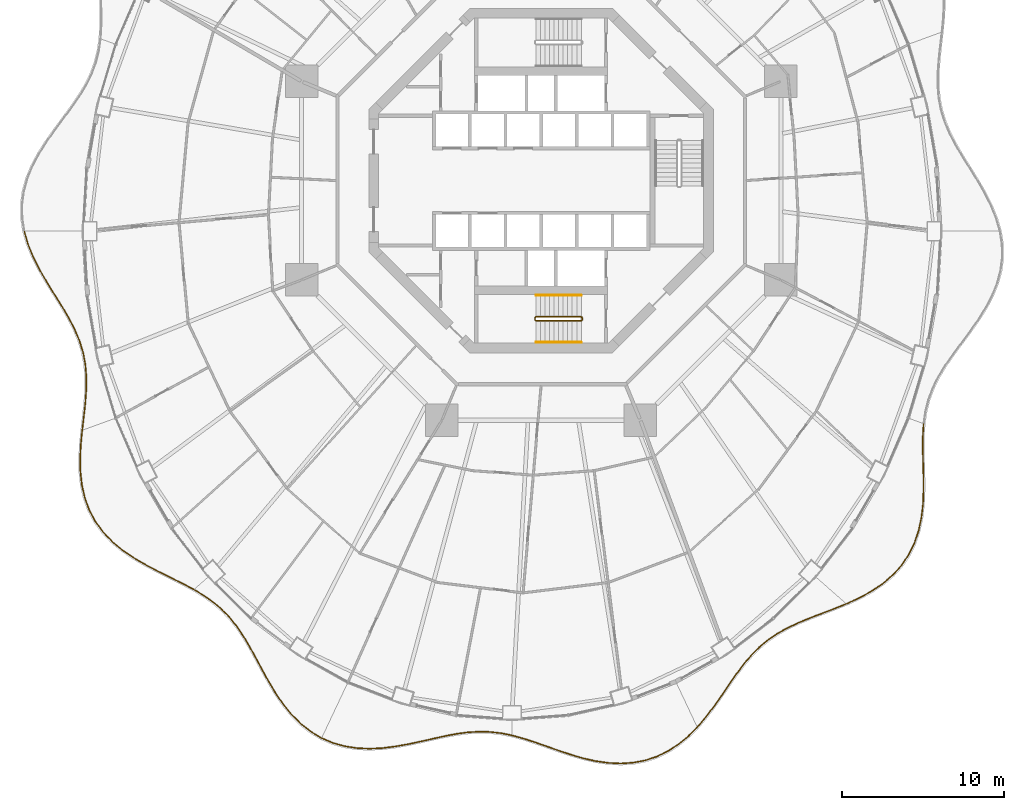
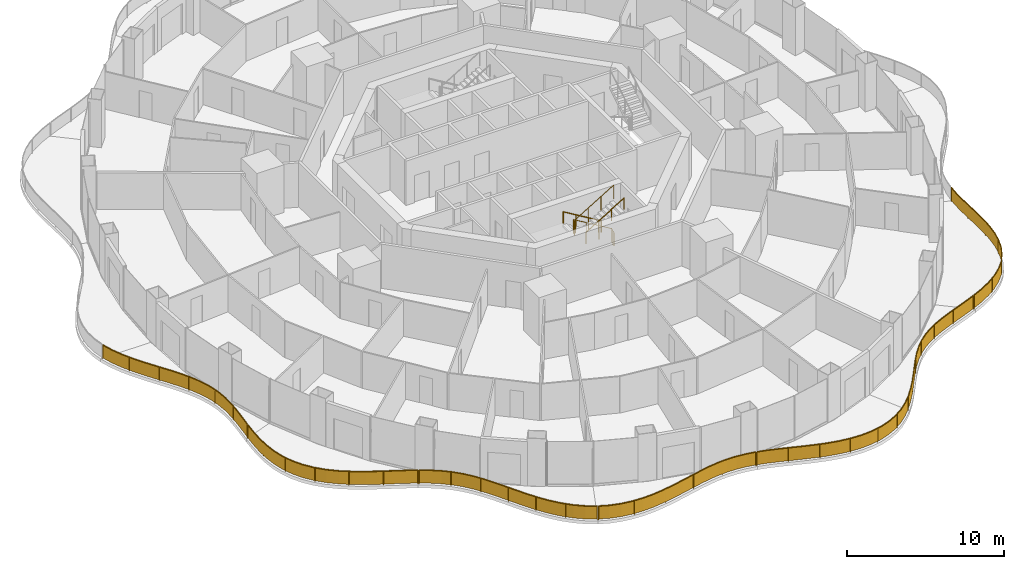
# One storey, part 17 of 19: 10 railings.
"""IFC4 building model written with IfcOpenShell, lengths in metres."""

import ifcopenshell
import ifcopenshell.guid

model = None  # the IFC model being written
_history = None  # IfcOwnerHistory: only IFC2X3 demands one
_inside = {}  # id of a spatial element -> (the spatial element, [elements in it])
_under = {}  # id of a project, library or spatial element -> (it, [spatial elements below it])
_declared = {}  # id of a project -> (the project, [libraries it declares])
_typed = {}  # id of a type object -> (the type object, [elements of that type])
_made_of = {}  # id of a material, layer set ... -> (it, [elements and type objects made of it])


def new_model(schema):
    """Start an empty IFC model of exactly this schema.

    Asked for "IFC4X3", IfcOpenShell would pick the latest addendum, in which some entities
    have other attributes; the version numbers below select the first issue.
    IFC2X3 requires an IfcOwnerHistory on every rooted entity: one is made here for all.
    """
    global model, _history
    if schema == "IFC4X3":
        model = ifcopenshell.file(schema_version=(4, 3, 0, 0))
    else:
        model = ifcopenshell.file(schema=schema)
    _inside.clear()
    _under.clear()
    _declared.clear()
    _typed.clear()
    _made_of.clear()
    _history = None
    if model.schema == "IFC2X3":
        org = make("IfcOrganization", Name="unknown")
        user = make(
            "IfcPersonAndOrganization",
            ThePerson=make("IfcPerson", FamilyName="unknown"),
            TheOrganization=org,
        )
        app = make(
            "IfcApplication",
            ApplicationDeveloper=org,
            Version="unknown",
            ApplicationFullName="unknown",
            ApplicationIdentifier="unknown",
        )
        _history = make(
            "IfcOwnerHistory",
            OwningUser=user,
            OwningApplication=app,
            ChangeAction="ADDED",
            CreationDate=0,
        )
    return model


def make(cls, **values):
    """One entity of the class cls with the attributes given. An attribute that is None is left unset."""
    return model.create_entity(
        cls, **{name: value for name, value in values.items() if value is not None}
    )


def rooted(cls, **values):
    """An entity with a GlobalId (a new one), such as an element, a storey or a relation."""
    return make(cls, GlobalId=ifcopenshell.guid.new(), OwnerHistory=_history, **values)


def si_unit(unit_type, name, prefix=None):
    """IfcSIUnit, for example si_unit("LENGTHUNIT", "METRE", prefix="MILLI")."""
    return make("IfcSIUnit", UnitType=unit_type, Prefix=prefix, Name=name)


def assignment(units):
    """IfcUnitAssignment: the units of a project."""
    return None if units is None else make("IfcUnitAssignment", Units=units)


def point(xyz):
    """IfcCartesianPoint."""
    return None if xyz is None else make("IfcCartesianPoint", Coordinates=xyz)


def direction(xyz):
    """IfcDirection."""
    return None if xyz is None else make("IfcDirection", DirectionRatios=xyz)


def frame(location, z_axis=None, x_axis=None):
    """IfcAxis2Placement3D, a coordinate frame: its origin and axes. An axis left out is left unset."""
    return make(
        "IfcAxis2Placement3D",
        Location=point(location),
        Axis=direction(z_axis),
        RefDirection=direction(x_axis),
    )


def frame_2d(location, x_axis=None):
    """IfcAxis2Placement2D, a coordinate frame in the plane: its origin and x axis."""
    return make(
        "IfcAxis2Placement2D", Location=point(location), RefDirection=direction(x_axis)
    )


def origin():
    """The frame at (0, 0, 0) with its axes left unset."""
    return frame((0.0, 0.0, 0.0))


def origin_2d():
    """The frame at (0, 0) in the plane with its x axis left unset."""
    return frame_2d((0.0, 0.0))


def place(relative_to, where):
    """IfcLocalPlacement: puts the frame where relative to a parent placement (None: the world)."""
    return make(
        "IfcLocalPlacement", PlacementRelTo=relative_to, RelativePlacement=where
    )


def context(
    kind, dimensions, precision=None, world=None, true_north=None, identifier=None
):
    """IfcGeometricRepresentationContext, for example the 3D "Model" context."""
    return make(
        "IfcGeometricRepresentationContext",
        ContextIdentifier=identifier,
        ContextType=kind,
        CoordinateSpaceDimension=dimensions,
        Precision=precision,
        WorldCoordinateSystem=world,
        TrueNorth=true_north,
    )


def subcontext(parent, identifier, kind, view, scale=None):
    """IfcGeometricRepresentationSubContext, for example "Body" below "Model"."""
    return make(
        "IfcGeometricRepresentationSubContext",
        ContextIdentifier=identifier,
        ContextType=kind,
        ParentContext=parent,
        TargetScale=scale,
        TargetView=view,
    )


def project(units=None, contexts=None):
    """IfcProject with its units and contexts."""
    return rooted(
        "IfcProject",
        Name="project",
        RepresentationContexts=contexts,
        UnitsInContext=assignment(units),
    )


def spatial(cls, under=None, at=None, **own):
    """A site, building, storey or space (cls), placed at a placement, below another one or the project."""
    s = rooted(cls, ObjectPlacement=at, **own)
    if under is not None:
        _under.setdefault(under.id(), (under, []))[1].append(s)
    return s


def polyline(points):
    """IfcPolyline through the points."""
    return make("IfcPolyline", Points=[point(p) for p in points])


def profile(cls, at=None, kind="AREA", **sizes):
    """A parametric profile (cls). Its sizes go by their IFC names, for example OverallWidth=200.0."""
    return make(cls, ProfileType=kind, Position=at, **sizes)


def rectangle(**sizes):
    """IfcRectangleProfileDef."""
    return profile("IfcRectangleProfileDef", **sizes)


def circle(**sizes):
    """IfcCircleProfileDef."""
    return profile("IfcCircleProfileDef", **sizes)


def outline(outer, holes=None, kind="AREA"):
    """IfcArbitraryClosedProfileDef: a profile drawn as a closed curve; with holes, ...WithVoids."""
    if holes is None:
        return make("IfcArbitraryClosedProfileDef", ProfileType=kind, OuterCurve=outer)
    return make(
        "IfcArbitraryProfileDefWithVoids",
        ProfileType=kind,
        OuterCurve=outer,
        InnerCurves=holes,
    )


def extrude(swept, where, along, depth):
    """IfcExtrudedAreaSolid: the profile swept, set in the frame where, extruded along a direction by depth."""
    return make(
        "IfcExtrudedAreaSolid",
        SweptArea=swept,
        Position=where,
        ExtrudedDirection=direction(along),
        Depth=depth,
    )


def shape(context_of_items, identifier, shape_type, items):
    """IfcShapeRepresentation: the items that make up one representation, for example the "Body"."""
    return make(
        "IfcShapeRepresentation",
        ContextOfItems=context_of_items,
        RepresentationIdentifier=identifier,
        RepresentationType=shape_type,
        Items=items,
    )


def material(Name=None, Category=None):
    """IfcMaterial."""
    return make("IfcMaterial", Name=Name, Category=Category)


def made_of(thing, what):
    """Note that an element or type object is made of a material, layer set ...; save() writes the relation."""
    if what is not None:
        _made_of.setdefault(what.id(), (what, []))[1].append(thing)
    return thing


def type_object(cls, material=None, **own):
    """A type object (cls), such as IfcWallType, which elements share."""
    return made_of(rooted(cls, **own), material)


def element(
    cls,
    number,
    at=None,
    inside=None,
    cuts=None,
    type_object=None,
    material=None,
    context=None,
    identifier="Body",
    shape_type=None,
    held_by="IfcProductDefinitionShape",
    body=None,
    shapes=None,
    **own,
):
    """One element of the class cls, such as IfcWall. Its Tag is "e" and its number.

    at: its placement. inside: the storey or other place that contains it. cuts: it is an
    opening in that element (IfcRelVoidsElement). A single representation is given by context,
    identifier, shape_type and body (its items); several are given by shapes. held_by: the class
    of the entity that holds the representations. save() writes the other relations.
    """
    e = rooted(cls, Tag="e%d" % number, ObjectPlacement=at, **own)
    if body is not None:
        shapes = [shape(context, identifier, shape_type, body)]
    if shapes is not None:
        e.Representation = make(held_by, Representations=shapes)
    if inside is not None:
        _inside.setdefault(inside.id(), (inside, []))[1].append(e)
    if cuts is not None:
        rooted(
            "IfcRelVoidsElement", RelatingBuildingElement=cuts, RelatedOpeningElement=e
        )
    if type_object is not None:
        _typed.setdefault(type_object.id(), (type_object, []))[1].append(e)
    return made_of(e, material)


def aggregate(whole, parts):
    """IfcRelAggregates: a whole, such as a stair, and the parts it consists of."""
    return rooted("IfcRelAggregates", RelatingObject=whole, RelatedObjects=parts)


def save(model, path):
    """Write the relations noted so far, then the file.

    IfcRelAggregates (storeys below a building ...), IfcRelContainedInSpatialStructure (elements
    in a storey), IfcRelDefinesByType, IfcRelAssociatesMaterial and IfcRelDeclares: one each for
    every whole, place, type object, material and project.
    """
    for whole, parts in _under.values():
        aggregate(whole, parts)
    for where, things in _inside.values():
        rooted(
            "IfcRelContainedInSpatialStructure",
            RelatedElements=things,
            RelatingStructure=where,
        )
    for kind, things in _typed.values():
        rooted("IfcRelDefinesByType", RelatedObjects=things, RelatingType=kind)
    for what, things in _made_of.values():
        rooted("IfcRelAssociatesMaterial", RelatedObjects=things, RelatingMaterial=what)
    for by, libraries in _declared.values():
        rooted("IfcRelDeclares", RelatingContext=by, RelatedDefinitions=libraries)
    model.write(path)


model = new_model("IFC4")

# Units and contexts
model_context = context("Model", 3, precision=1e-05, world=origin(), true_north=direction((0.0, 1.0)))
body_context = subcontext(model_context, "Body", "Model", "MODEL_VIEW")
ifc_project = project(units=[si_unit("LENGTHUNIT", "METRE"), si_unit("AREAUNIT", "SQUARE_METRE"), si_unit("VOLUMEUNIT", "CUBIC_METRE"), si_unit("PLANEANGLEUNIT", "RADIAN"), si_unit("MASSUNIT", "GRAM", prefix="KILO")], contexts=[model_context])

# Site, building, storey
site_placement = place(None, origin())
site = spatial("IfcSite", under=ifc_project, at=site_placement, CompositionType="ELEMENT")
building_placement = place(site_placement, origin())
building = spatial("IfcBuilding", under=site, at=building_placement, Name="Nagisa Residences", CompositionType="ELEMENT")
storey_placement = place(building_placement, frame((0.0, 0.0, 127.0)))
storey = spatial("IfcBuildingStorey", under=building, at=storey_placement, Name="L31", CompositionType="ELEMENT", Elevation=127.0)

# Railings
ifc_material_1 = material(Name="Stainless steel 316", Category="steel")
railing_type_1 = type_object("IfcRailingType", Name="BALCONY GUARD 1100", PredefinedType="BALUSTRADE", material=ifc_material_1)
railing_1_placement = place(storey_placement, frame((-31.87841796875, -3.15478515625, 0.0)))
element("IfcRailing", 1, at=railing_1_placement, inside=storey, type_object=railing_type_1, Name="guard:L31:bal08-0", PredefinedType="BALUSTRADE", context=body_context, shape_type="SweptSolid", body=[
    extrude(outline(polyline([(0.246337890625, -0.758544921875), (0.02392578125, 0.007080078125), (-0.02392578125, -0.007080078125), (0.198974609375, -0.775146484375), (0.5244140625, -1.57470703125), (0.919677734375, -2.357177734375), (1.361083984375, -3.1201171875), (1.82177734375, -3.864013671875), (2.274658203125, -4.578125), (2.697265625, -5.294921875), (3.06787109375, -6.00634765625), (3.370361328125, -6.7197265625), (3.59423828125, -7.44287109375), (3.7333984375, -8.169189453125), (3.79736328125, -8.932373046875), (3.79296875, -9.721923828125), (3.7353515625, -10.53955078125), (3.64501953125, -11.38330078125), (3.548828125, -12.203369140625), (3.5986328125, -12.209228515625), (3.69482421875, -11.388671875), (3.78515625, -10.5439453125), (3.8427734375, -9.723876953125), (3.84765625, -8.930419921875), (3.783203125, -8.162353515625), (3.64306640625, -7.4306640625), (3.417236328125, -6.70263671875), (3.11328125, -5.98486328125), (2.7412109375, -5.2705078125), (2.317138671875, -4.55224609375), (1.8642578125, -3.837646484375), (1.404052734375, -3.09423828125), (0.963623046875, -2.333251953125), (0.56982421875, -1.55419921875), (0.246337890625, -0.758544921875)])), frame((0.0, 0.0, 1.050048828125)), (0.0, 0.0, 1.0), 0.050048828125),
    extrude(outline(polyline([(0.229248046875, -0.7646484375), (0.0068359375, 0.001953125), (-0.0068359375, -0.001953125), (0.216064453125, -0.76904296875), (0.540771484375, -1.5673828125), (0.935546875, -2.3486328125), (1.37646484375, -3.11083984375), (1.837158203125, -3.8544921875), (2.2900390625, -4.56884765625), (2.713134765625, -5.2861328125), (3.084228515625, -5.99853515625), (3.38720703125, -6.713623046875), (3.61181640625, -7.4384765625), (3.75146484375, -8.166748046875), (3.8154296875, -8.931640625), (3.810791015625, -9.72265625), (3.753173828125, -10.541015625), (3.6630859375, -11.38525390625), (3.56689453125, -12.20556640625), (3.58056640625, -12.20703125), (3.6767578125, -11.38671875), (3.767333984375, -10.54248046875), (3.824951171875, -9.72314453125), (3.82958984375, -8.93115234375), (3.76513671875, -8.164794921875), (3.62548828125, -7.43505859375), (3.400390625, -6.708740234375), (3.096923828125, -5.99267578125), (2.725341796875, -5.279296875), (2.3017578125, -4.5615234375), (1.848876953125, -3.84716796875), (1.388671875, -3.103515625), (0.94775390625, -2.341796875), (0.553466796875, -1.5615234375), (0.229248046875, -0.7646484375)])), frame((0.0, 0.0, 0.06005859375)), (0.0, 0.0, 1.0), 0.989990234375),
    extrude(rectangle(XDim=0.0400390625, YDim=0.0400390625, at=origin_2d()), origin(), (0.0, 0.0, 1.0), 1.050048828125),
    extrude(rectangle(XDim=0.0400390625, YDim=0.0400390625, at=origin_2d()), frame((0.783935546875, -2.032958984375, 0.0)), (0.0, 0.0, 1.0), 1.050048828125),
    extrude(rectangle(XDim=0.0400390625, YDim=0.0400390625, at=origin_2d()), frame((1.8857421875, -3.91796875, 0.0)), (0.0, 0.0, 1.0), 1.050048828125),
    extrude(rectangle(XDim=0.0400390625, YDim=0.0400390625, at=origin_2d()), frame((2.989501953125, -5.8017578125, 0.0)), (0.0, 0.0, 1.0), 1.050048828125),
    extrude(rectangle(XDim=0.0400390625, YDim=0.0400390625, at=origin_2d()), frame((3.699462890625, -7.858154296875, 0.0)), (0.0, 0.0, 1.0), 1.050048828125),
    extrude(rectangle(XDim=0.0400390625, YDim=0.0400390625, at=origin_2d()), frame((3.7958984375, -10.033447265625, 0.0)), (0.0, 0.0, 1.0), 1.050048828125),
    extrude(rectangle(XDim=0.0400390625, YDim=0.0400390625, at=origin_2d()), frame((3.57373046875, -12.206298828125, 0.0)), (0.0, 0.0, 1.0), 1.050048828125),
])
railing_2_placement = place(storey_placement, frame((-28.314453125, -15.43701171875, 0.0)))
element("IfcRailing", 2, at=railing_2_placement, inside=storey, type_object=railing_type_1, Name="guard:L31:bal09-0", PredefinedType="BALUSTRADE", context=body_context, shape_type="SweptSolid", body=[
    extrude(outline(polyline([(-0.054443359375, -0.807861328125), (0.02490234375, -0.00244140625), (-0.02490234375, 0.00244140625), (-0.104248046875, -0.803955078125), (-0.148193359375, -1.658935546875), (-0.13330078125, -2.507080078125), (-0.042236328125, -3.337158203125), (0.13818359375, -4.13720703125), (0.410400390625, -4.884033203125), (0.7900390625, -5.594482421875), (1.267333984375, -6.248779296875), (1.834228515625, -6.84423828125), (2.47705078125, -7.381103515625), (3.170654296875, -7.851318359375), (3.91259765625, -8.287109375), (4.67431640625, -8.68701171875), (5.435302734375, -9.06494140625), (6.177734375, -9.435302734375), (6.84814453125, -9.7919921875), (6.87158203125, -9.748046875), (6.20068359375, -9.390869140625), (5.457763671875, -9.02001953125), (4.697265625, -8.642578125), (3.93701171875, -8.2431640625), (3.197509765625, -7.808837890625), (2.50732421875, -7.341064453125), (1.868408203125, -6.8076171875), (1.305908203125, -6.216552734375), (0.83251953125, -5.567626953125), (0.456298828125, -4.863525390625), (0.1865234375, -4.123046875), (0.007080078125, -3.328857421875), (-0.08349609375, -2.504150390625), (-0.097900390625, -1.659912109375), (-0.054443359375, -0.807861328125)])), frame((0.0, 0.0, 1.050048828125)), (0.0, 0.0, 1.0), 0.050048828125),
    extrude(outline(polyline([(-0.072265625, -0.806396484375), (0.007080078125, -0.000732421875), (-0.007080078125, 0.000732421875), (-0.08642578125, -0.805419921875), (-0.130126953125, -1.659423828125), (-0.115478515625, -2.506103515625), (-0.0244140625, -3.334228515625), (0.155517578125, -4.132080078125), (0.427001953125, -4.876708984375), (0.805419921875, -5.584716796875), (1.28125, -6.237060546875), (1.846435546875, -6.8310546875), (2.488037109375, -7.36669921875), (3.180419921875, -7.8359375), (3.92138671875, -8.271240234375), (4.6826171875, -8.671142578125), (5.443359375, -9.048828125), (6.18603515625, -9.419189453125), (6.856689453125, -9.776123046875), (6.863037109375, -9.763916015625), (6.1923828125, -9.406982421875), (5.44970703125, -9.0361328125), (4.68896484375, -8.658447265625), (3.92822265625, -8.259033203125), (3.187744140625, -7.82421875), (2.496337890625, -7.35546875), (1.856201171875, -6.82080078125), (1.2919921875, -6.228271484375), (0.817138671875, -5.577392578125), (0.439697265625, -4.870849609375), (0.169189453125, -4.128173828125), (-0.0107421875, -3.331787109375), (-0.101318359375, -2.505126953125), (-0.115966796875, -1.659423828125), (-0.072265625, -0.806396484375)])), frame((0.0, 0.0, 0.06005859375)), (0.0, 0.0, 1.0), 0.989990234375),
    extrude(rectangle(XDim=0.0400390625, YDim=0.0400390625, at=origin_2d()), origin(), (0.0, 0.0, 1.0), 1.050048828125),
    extrude(rectangle(XDim=0.0400390625, YDim=0.0400390625, at=origin_2d()), frame((-0.11376953125, -2.1962890625, 0.0)), (0.0, 0.0, 1.0), 1.050048828125),
    extrude(rectangle(XDim=0.0400390625, YDim=0.0400390625, at=origin_2d()), frame((0.245361328125, -4.357666015625, 0.0)), (0.0, 0.0, 1.0), 1.050048828125),
    extrude(rectangle(XDim=0.0400390625, YDim=0.0400390625, at=origin_2d()), frame((1.316650390625, -6.26416015625, 0.0)), (0.0, 0.0, 1.0), 1.050048828125),
    extrude(rectangle(XDim=0.0400390625, YDim=0.0400390625, at=origin_2d()), frame((2.9814453125, -7.692626953125, 0.0)), (0.0, 0.0, 1.0), 1.050048828125),
    extrude(rectangle(XDim=0.0400390625, YDim=0.0400390625, at=origin_2d()), frame((4.898681640625, -8.7705078125, 0.0)), (0.0, 0.0, 1.0), 1.050048828125),
    extrude(rectangle(XDim=0.0400390625, YDim=0.0400390625, at=origin_2d()), frame((6.85986328125, -9.77001953125, 0.0)), (0.0, 0.0, 1.0), 1.050048828125),
])
railing_3_placement = place(storey_placement, frame((-21.3896484375, -25.2412109375, 0.0)))
element("IfcRailing", 3, at=railing_3_placement, inside=storey, type_object=railing_type_1, Name="guard:L31:bal10-0", PredefinedType="BALUSTRADE", context=body_context, shape_type="SweptSolid", body=[
    extrude(outline(polyline([(0.609375, -0.33837890625), (0.012939453125, 0.021484375), (-0.012939453125, -0.021484375), (0.58203125, -0.38037109375), (1.16552734375, -0.794921875), (1.698974609375, -1.251708984375), (2.183837890625, -1.756591796875), (2.6259765625, -2.3125), (3.022216796875, -2.908447265625), (3.408203125, -3.56005859375), (3.78466796875, -4.247802734375), (4.165283203125, -4.958984375), (4.563720703125, -5.67822265625), (4.97900390625, -6.379150390625), (5.447998046875, -7.061279296875), (5.966064453125, -7.697265625), (6.53759765625, -8.27001953125), (7.16357421875, -8.764892578125), (7.800048828125, -9.1455078125), (7.825927734375, -9.1025390625), (7.19189453125, -8.723388671875), (6.57080078125, -8.232421875), (6.003173828125, -7.66357421875), (5.488037109375, -7.031005859375), (5.02099609375, -6.352294921875), (4.607177734375, -5.6533203125), (4.209228515625, -4.93505859375), (3.82861328125, -4.223876953125), (3.45166015625, -3.53515625), (3.064697265625, -2.881591796875), (2.66650390625, -2.283203125), (2.221435546875, -1.723388671875), (1.733154296875, -1.215087890625), (1.1962890625, -0.75537109375), (0.609375, -0.33837890625)])), frame((0.0, 0.0, 1.050048828125)), (0.0, 0.0, 1.0), 0.050048828125),
    extrude(outline(polyline([(0.599609375, -0.353515625), (0.003662109375, 0.006103515625), (-0.003662109375, -0.006103515625), (0.591796875, -0.365234375), (1.176513671875, -0.78076171875), (1.711181640625, -1.238525390625), (2.197265625, -1.74462890625), (2.640625, -2.302001953125), (3.03759765625, -2.898681640625), (3.423828125, -3.551025390625), (3.800537109375, -4.2392578125), (4.18115234375, -4.950439453125), (4.579345703125, -5.669189453125), (4.994140625, -6.369384765625), (5.46240234375, -7.05029296875), (5.9794921875, -7.68505859375), (6.549560546875, -8.25634765625), (7.173828125, -8.75), (7.809326171875, -9.130126953125), (7.816650390625, -9.117919921875), (7.181640625, -8.73828125), (6.558837890625, -8.24609375), (5.98974609375, -7.67578125), (5.4736328125, -7.0419921875), (5.005859375, -6.362060546875), (4.591552734375, -5.662353515625), (4.193359375, -4.943603515625), (3.812744140625, -4.232421875), (3.43603515625, -3.544189453125), (3.04931640625, -2.891357421875), (2.65185546875, -2.293701171875), (2.2080078125, -1.7353515625), (1.720947265625, -1.228271484375), (1.185302734375, -0.76953125), (0.599609375, -0.353515625)])), frame((0.0, 0.0, 0.06005859375)), (0.0, 0.0, 1.0), 0.989990234375),
    extrude(rectangle(XDim=0.0400390625, YDim=0.0400390625, at=origin_2d()), origin(), (0.0, 0.0, 1.0), 1.050048828125),
    extrude(rectangle(XDim=0.0400390625, YDim=0.0400390625, at=origin_2d()), frame((1.654296875, -1.180419921875, 0.0)), (0.0, 0.0, 1.0), 1.050048828125),
    extrude(rectangle(XDim=0.0400390625, YDim=0.0400390625, at=origin_2d()), frame((2.945556640625, -2.74755859375, 0.0)), (0.0, 0.0, 1.0), 1.050048828125),
    extrude(rectangle(XDim=0.0400390625, YDim=0.0400390625, at=origin_2d()), frame((3.9560546875, -4.51513671875, 0.0)), (0.0, 0.0, 1.0), 1.050048828125),
    extrude(rectangle(XDim=0.0400390625, YDim=0.0400390625, at=origin_2d()), frame((4.955078125, -6.289794921875, 0.0)), (0.0, 0.0, 1.0), 1.050048828125),
    extrude(rectangle(XDim=0.0400390625, YDim=0.0400390625, at=origin_2d()), frame((6.19970703125, -7.89599609375, 0.0)), (0.0, 0.0, 1.0), 1.050048828125),
    extrude(rectangle(XDim=0.0400390625, YDim=0.0400390625, at=origin_2d()), frame((7.81298828125, -9.1240234375, 0.0)), (0.0, 0.0, 1.0), 1.050048828125),
])
railing_4_placement = place(storey_placement, frame((-13.5078125, -34.400390625, 0.0)))
element("IfcRailing", 4, at=railing_4_placement, inside=storey, type_object=railing_type_1, Name="guard:L31:bal11-0", PredefinedType="BALUSTRADE", context=body_context, shape_type="SweptSolid", body=[
    extrude(outline(polyline([(0.661376953125, -0.25634765625), (0.009765625, 0.02294921875), (-0.009765625, -0.02294921875), (0.644775390625, -0.3037109375), (1.382080078125, -0.511474609375), (2.148681640625, -0.6298828125), (2.93505859375, -0.6650390625), (3.732177734375, -0.626953125), (4.513916015625, -0.5244140625), (5.305419921875, -0.384033203125), (6.083740234375, -0.218017578125), (6.84423828125, -0.04541015625), (7.5849609375, 0.116455078125), (8.287841796875, 0.253173828125), (8.989501953125, 0.34619140625), (9.67724609375, 0.38720703125), (10.35595703125, 0.3701171875), (11.031494140625, 0.292724609375), (11.668212890625, 0.165283203125), (11.677978515625, 0.214599609375), (11.039306640625, 0.342041015625), (10.359375, 0.419921875), (9.67626953125, 0.4375), (8.984619140625, 0.39599609375), (8.279541015625, 0.302490234375), (7.57470703125, 0.165283203125), (6.83349609375, 0.00341796875), (6.072998046875, -0.169189453125), (5.295654296875, -0.334716796875), (4.506103515625, -0.47509765625), (3.727783203125, -0.5771484375), (2.93505859375, -0.61474609375), (2.153564453125, -0.580078125), (1.392822265625, -0.462646484375), (0.661376953125, -0.25634765625)])), frame((0.0, 0.0, 1.050048828125)), (0.0, 0.0, 1.0), 0.050048828125),
    extrude(outline(polyline([(0.655517578125, -0.2734375), (0.002685546875, 0.00634765625), (-0.002685546875, -0.00634765625), (0.650634765625, -0.28662109375), (1.385986328125, -0.493896484375), (2.150390625, -0.612060546875), (2.93505859375, -0.64697265625), (3.730712890625, -0.609130859375), (4.510986328125, -0.506591796875), (5.3017578125, -0.3662109375), (6.079833984375, -0.200439453125), (6.84033203125, -0.02783203125), (7.581298828125, 0.134033203125), (8.284912109375, 0.27099609375), (8.98779296875, 0.364013671875), (9.6767578125, 0.4052734375), (10.357177734375, 0.387939453125), (11.034423828125, 0.310546875), (11.671630859375, 0.18310546875), (11.674560546875, 0.19677734375), (11.036376953125, 0.32421875), (10.358154296875, 0.402099609375), (9.6767578125, 0.41943359375), (8.986328125, 0.378173828125), (8.282470703125, 0.28466796875), (7.578369140625, 0.147705078125), (6.83740234375, -0.01416015625), (6.076904296875, -0.186767578125), (5.29931640625, -0.3525390625), (4.509033203125, -0.492919921875), (3.729248046875, -0.594970703125), (2.93505859375, -0.6328125), (2.15185546875, -0.597900390625), (1.388916015625, -0.480224609375), (0.655517578125, -0.2734375)])), frame((0.0, 0.0, 0.06005859375)), (0.0, 0.0, 1.0), 0.989990234375),
    extrude(rectangle(XDim=0.0400390625, YDim=0.0400390625, at=origin_2d()), origin(), (0.0, 0.0, 1.0), 1.050048828125),
    extrude(rectangle(XDim=0.0400390625, YDim=0.0400390625, at=origin_2d()), frame((2.281005859375, -0.61083984375, 0.0)), (0.0, 0.0, 1.0), 1.050048828125),
    extrude(rectangle(XDim=0.0400390625, YDim=0.0400390625, at=origin_2d()), frame((4.646728515625, -0.4755859375, 0.0)), (0.0, 0.0, 1.0), 1.050048828125),
    extrude(rectangle(XDim=0.0400390625, YDim=0.0400390625, at=origin_2d()), frame((6.972900390625, 0.00830078125, 0.0)), (0.0, 0.0, 1.0), 1.050048828125),
    extrude(rectangle(XDim=0.0400390625, YDim=0.0400390625, at=origin_2d()), frame((9.314697265625, 0.390625, 0.0)), (0.0, 0.0, 1.0), 1.050048828125),
    extrude(rectangle(XDim=0.0400390625, YDim=0.0400390625, at=origin_2d()), frame((11.673095703125, 0.18994140625, 0.0)), (0.0, 0.0, 1.0), 1.050048828125),
])
railing_5_placement = place(storey_placement, frame((-1.765869140625, -34.228759765625, 0.0)))
element("IfcRailing", 5, at=railing_5_placement, inside=storey, type_object=railing_type_1, Name="guard:L31:bal12-0", PredefinedType="BALUSTRADE", context=body_context, shape_type="SweptSolid", body=[
    extrude(outline(polyline([(0.654296875, -0.152587890625), (0.006591796875, 0.024169921875), (-0.006591796875, -0.024169921875), (0.64013671875, -0.200439453125), (1.34326171875, -0.42724609375), (2.064453125, -0.6796875), (2.804443359375, -0.94140625), (3.562744140625, -1.193359375), (4.3193359375, -1.419921875), (5.104248046875, -1.59716796875), (5.8935546875, -1.7109375), (6.679443359375, -1.747802734375), (7.453369140625, -1.696533203125), (8.189697265625, -1.55615234375), (8.914306640625, -1.31494140625), (9.603271484375, -0.979736328125), (10.251708984375, -0.557861328125), (10.857177734375, -0.0595703125), (11.3837890625, 0.4697265625), (11.34814453125, 0.5048828125), (10.823486328125, -0.0224609375), (10.221923828125, -0.517333984375), (9.578369140625, -0.936279296875), (8.895263671875, -1.2685546875), (8.177001953125, -1.5078125), (7.447021484375, -1.646728515625), (6.678955078125, -1.697509765625), (5.8984375, -1.6611328125), (5.113525390625, -1.5478515625), (4.33203125, -1.37158203125), (3.577880859375, -1.1455078125), (2.820556640625, -0.89404296875), (2.0810546875, -0.63232421875), (1.359375, -0.3798828125), (0.654296875, -0.152587890625)])), frame((0.0, 0.0, 1.050048828125)), (0.0, 0.0, 1.0), 0.050048828125),
    extrude(outline(polyline([(0.649169921875, -0.169921875), (0.001953125, 0.0068359375), (-0.001953125, -0.0068359375), (0.645263671875, -0.18310546875), (1.34912109375, -0.41015625), (2.0703125, -0.66259765625), (2.810302734375, -0.92431640625), (3.568115234375, -1.176025390625), (4.323974609375, -1.402587890625), (5.107666015625, -1.579345703125), (5.895263671875, -1.693115234375), (6.67919921875, -1.729736328125), (7.451171875, -1.678466796875), (8.18505859375, -1.538818359375), (8.907470703125, -1.29833984375), (9.59423828125, -0.964111328125), (10.240966796875, -0.543212890625), (10.844970703125, -0.046142578125), (11.370849609375, 0.482421875), (11.361083984375, 0.4921875), (10.835693359375, -0.035888671875), (10.232666015625, -0.531982421875), (9.58740234375, -0.951904296875), (8.902099609375, -1.28515625), (8.181640625, -1.525146484375), (7.44921875, -1.664794921875), (6.67919921875, -1.715576171875), (5.896728515625, -1.678955078125), (5.110107421875, -1.565673828125), (4.327392578125, -1.388916015625), (3.572509765625, -1.162841796875), (2.814697265625, -0.9111328125), (2.0751953125, -0.6494140625), (1.353515625, -0.39697265625), (0.649169921875, -0.169921875)])), frame((0.0, 0.0, 0.06005859375)), (0.0, 0.0, 1.0), 0.989990234375),
    extrude(rectangle(XDim=0.0400390625, YDim=0.0400390625, at=origin_2d()), origin(), (0.0, 0.0, 1.0), 1.050048828125),
    extrude(rectangle(XDim=0.0400390625, YDim=0.0400390625, at=origin_2d()), frame((1.949951171875, -0.613037109375, 0.0)), (0.0, 0.0, 1.0), 1.050048828125),
    extrude(rectangle(XDim=0.0400390625, YDim=0.0400390625, at=origin_2d()), frame((3.8876953125, -1.2646484375, 0.0)), (0.0, 0.0, 1.0), 1.050048828125),
    extrude(rectangle(XDim=0.0400390625, YDim=0.0400390625, at=origin_2d()), frame((5.8857421875, -1.6845703125, 0.0)), (0.0, 0.0, 1.0), 1.050048828125),
    extrude(rectangle(XDim=0.0400390625, YDim=0.0400390625, at=origin_2d()), frame((7.91943359375, -1.582275390625, 0.0)), (0.0, 0.0, 1.0), 1.050048828125),
    extrude(rectangle(XDim=0.0400390625, YDim=0.0400390625, at=origin_2d()), frame((9.802734375, -0.820068359375, 0.0)), (0.0, 0.0, 1.0), 1.050048828125),
    extrude(rectangle(XDim=0.0400390625, YDim=0.0400390625, at=origin_2d()), frame((11.365966796875, 0.4873046875, 0.0)), (0.0, 0.0, 1.0), 1.050048828125),
])
railing_6_placement = place(storey_placement, frame((9.651611328125, -33.68408203125, 0.0)))
element("IfcRailing", 6, at=railing_6_placement, inside=storey, type_object=railing_type_1, Name="guard:L31:bal13-0", PredefinedType="BALUSTRADE", context=body_context, shape_type="SweptSolid", body=[
    extrude(outline(polyline([(0.487548828125, 0.611572265625), (-0.01904296875, 0.01611328125), (0.01904296875, -0.01611328125), (0.526611328125, 0.580322265625), (1.029296875, 1.242431640625), (1.502685546875, 1.916015625), (1.95751953125, 2.58251953125), (2.40576171875, 3.22509765625), (2.845703125, 3.82080078125), (3.317626953125, 4.37841796875), (3.81787109375, 4.88232421875), (4.35546875, 5.33154296875), (4.936279296875, 5.72900390625), (5.550537109375, 6.070068359375), (6.220947265625, 6.38623046875), (6.930419921875, 6.67919921875), (7.670166015625, 6.962890625), (8.427734375, 7.25244140625), (9.146728515625, 7.5419921875), (9.128173828125, 7.58837890625), (8.40966796875, 7.298828125), (7.652099609375, 7.009765625), (6.911865234375, 6.7255859375), (6.200927734375, 6.43212890625), (5.527587890625, 6.114501953125), (4.909912109375, 5.771484375), (4.3251953125, 5.37158203125), (3.7841796875, 4.91943359375), (3.280517578125, 4.412109375), (2.806640625, 3.85205078125), (2.365234375, 3.25439453125), (1.91650390625, 2.61083984375), (1.461669921875, 1.9443359375), (0.98876953125, 1.271728515625), (0.487548828125, 0.611572265625)])), frame((0.0, 0.0, 1.050048828125)), (0.0, 0.0, 1.0), 0.050048828125),
    extrude(outline(polyline([(0.501708984375, 0.600341796875), (-0.00537109375, 0.004638671875), (0.00537109375, -0.004638671875), (0.512451171875, 0.591552734375), (1.0146484375, 1.2529296875), (1.488037109375, 1.92626953125), (1.94287109375, 2.5927734375), (2.39111328125, 3.235595703125), (2.831787109375, 3.83203125), (3.30419921875, 4.390625), (3.8056640625, 4.895751953125), (4.344482421875, 5.345947265625), (4.9267578125, 5.744384765625), (5.542236328125, 6.0859375), (6.2138671875, 6.40283203125), (6.923828125, 6.69580078125), (7.66357421875, 6.979736328125), (8.421142578125, 7.26904296875), (9.14013671875, 7.55859375), (9.134765625, 7.57177734375), (8.416259765625, 7.2822265625), (7.65869140625, 6.992919921875), (6.91845703125, 6.708984375), (6.2080078125, 6.41552734375), (5.535888671875, 6.0986328125), (4.91943359375, 5.756103515625), (4.336181640625, 5.357177734375), (3.79638671875, 4.906005859375), (3.2939453125, 4.39990234375), (2.820556640625, 3.8408203125), (2.3798828125, 3.243896484375), (1.93115234375, 2.6005859375), (1.476318359375, 1.93408203125), (1.00341796875, 1.26123046875), (0.501708984375, 0.600341796875)])), frame((0.0, 0.0, 0.06005859375)), (0.0, 0.0, 1.0), 0.989990234375),
    extrude(rectangle(XDim=0.0400390625, YDim=0.0400390625, at=origin_2d()), origin(), (0.0, 0.0, 1.0), 1.050048828125),
    extrude(rectangle(XDim=0.0400390625, YDim=0.0400390625, at=origin_2d()), frame((1.25244140625, 1.603515625, 0.0)), (0.0, 0.0, 1.0), 1.050048828125),
    extrude(rectangle(XDim=0.0400390625, YDim=0.0400390625, at=origin_2d()), frame((2.41259765625, 3.2763671875, 0.0)), (0.0, 0.0, 1.0), 1.050048828125),
    extrude(rectangle(XDim=0.0400390625, YDim=0.0400390625, at=origin_2d()), frame((3.727294921875, 4.82666015625, 0.0)), (0.0, 0.0, 1.0), 1.050048828125),
    extrude(rectangle(XDim=0.0400390625, YDim=0.0400390625, at=origin_2d()), frame((5.379638671875, 6.00390625, 0.0)), (0.0, 0.0, 1.0), 1.050048828125),
    extrude(rectangle(XDim=0.0400390625, YDim=0.0400390625, at=origin_2d()), frame((7.240966796875, 6.8251953125, 0.0)), (0.0, 0.0, 1.0), 1.050048828125),
    extrude(rectangle(XDim=0.0400390625, YDim=0.0400390625, at=origin_2d()), frame((9.137451171875, 7.565185546875, 0.0)), (0.0, 0.0, 1.0), 1.050048828125),
])
railing_7_placement = place(storey_placement, frame((18.8603515625, -26.089599609375, 0.0)))
element("IfcRailing", 7, at=railing_7_placement, inside=storey, type_object=railing_type_1, Name="guard:L31:bal14-0", PredefinedType="BALUSTRADE", context=body_context, shape_type="SweptSolid", body=[
    extrude(outline(polyline([(0.731689453125, 0.361083984375), (-0.010498046875, 0.022705078125), (0.010498046875, -0.022705078125), (0.754150390625, 0.316162109375), (1.5048828125, 0.7265625), (2.20361328125, 1.19677734375), (2.8330078125, 1.732421875), (3.37939453125, 2.33447265625), (3.826171875, 2.991455078125), (4.184326171875, 3.719482421875), (4.447021484375, 4.49755859375), (4.621337890625, 5.314697265625), (4.71875, 6.157958984375), (4.74951171875, 7.00146484375), (4.74560546875, 7.858642578125), (4.722900390625, 8.705322265625), (4.703369140625, 9.531982421875), (4.707763671875, 10.33251953125), (4.75244140625, 11.0615234375), (4.70263671875, 11.064453125), (4.657958984375, 10.333984375), (4.653076171875, 9.531494140625), (4.673095703125, 8.703857421875), (4.69580078125, 7.857666015625), (4.69921875, 7.00244140625), (4.6689453125, 6.161865234375), (4.572021484375, 5.322998046875), (4.398681640625, 4.5107421875), (4.137939453125, 3.738525390625), (3.78271484375, 3.016845703125), (3.33984375, 2.36572265625), (2.79833984375, 1.7685546875), (2.17333984375, 1.23681640625), (1.47900390625, 0.76953125), (0.731689453125, 0.361083984375)])), frame((0.0, 0.0, 1.050048828125)), (0.0, 0.0, 1.0), 0.050048828125),
    extrude(outline(polyline([(0.73974609375, 0.344970703125), (-0.0029296875, 0.00634765625), (0.0029296875, -0.00634765625), (0.74609375, 0.332275390625), (1.49560546875, 0.741943359375), (2.192626953125, 1.211181640625), (2.820556640625, 1.745361328125), (3.365234375, 2.345703125), (3.810546875, 3.000732421875), (4.167724609375, 3.726318359375), (4.4296875, 4.502197265625), (4.603515625, 5.317626953125), (4.700927734375, 6.159423828125), (4.7314453125, 7.001953125), (4.727783203125, 7.858154296875), (4.705078125, 8.704833984375), (4.685302734375, 9.53173828125), (4.68994140625, 10.3330078125), (4.734619140625, 11.0625), (4.720458984375, 11.0634765625), (4.67578125, 10.33349609375), (4.671142578125, 9.53173828125), (4.69091796875, 8.704345703125), (4.713623046875, 7.858154296875), (4.71728515625, 7.001953125), (4.686767578125, 6.160400390625), (4.58984375, 5.320068359375), (4.416015625, 4.506103515625), (4.154541015625, 3.731689453125), (3.79833984375, 3.007568359375), (3.35400390625, 2.3544921875), (2.810791015625, 1.755615234375), (2.184326171875, 1.222412109375), (1.48828125, 0.754150390625), (0.73974609375, 0.344970703125)])), frame((0.0, 0.0, 0.06005859375)), (0.0, 0.0, 1.0), 0.989990234375),
    extrude(rectangle(XDim=0.0400390625, YDim=0.0400390625, at=origin_2d()), origin(), (0.0, 0.0, 1.0), 1.050048828125),
    extrude(rectangle(XDim=0.0400390625, YDim=0.0400390625, at=origin_2d()), frame((1.924072265625, 1.038818359375, 0.0)), (0.0, 0.0, 1.0), 1.050048828125),
    extrude(rectangle(XDim=0.0400390625, YDim=0.0400390625, at=origin_2d()), frame((3.493896484375, 2.547607421875, 0.0)), (0.0, 0.0, 1.0), 1.050048828125),
    extrude(rectangle(XDim=0.0400390625, YDim=0.0400390625, at=origin_2d()), frame((4.425537109375, 4.5166015625, 0.0)), (0.0, 0.0, 1.0), 1.050048828125),
    extrude(rectangle(XDim=0.0400390625, YDim=0.0400390625, at=origin_2d()), frame((4.712890625, 6.683349609375, 0.0)), (0.0, 0.0, 1.0), 1.050048828125),
    extrude(rectangle(XDim=0.0400390625, YDim=0.0400390625, at=origin_2d()), frame((4.69384765625, 8.873779296875, 0.0)), (0.0, 0.0, 1.0), 1.050048828125),
    extrude(rectangle(XDim=0.0400390625, YDim=0.0400390625, at=origin_2d()), frame((4.7275390625, 11.06298828125, 0.0)), (0.0, 0.0, 1.0), 1.050048828125),
])
ifc_material_2 = material(Name="Stainless steel", Category="steel")
railing_type_2 = type_object("IfcRailingType", Name="Stair guard 1100", PredefinedType="GUARDRAIL", material=ifc_material_2)
railing_8_placement = place(storey_placement, frame((2.52490234375, -8.599609375, 0.0)))
element("IfcRailing", 8, at=railing_8_placement, inside=storey, type_object=railing_type_2, Name="L31 ST-S stair guard 1", PredefinedType="GUARDRAIL", context=body_context, shape_type="SweptSolid", body=[
    extrude(circle(Radius=0.02392578125, at=origin_2d()), frame((0.0, 0.0, 1.076171875), z_axis=(0.0, 1.0, 0.0), x_axis=(-1.0, 0.0, 0.0)), (0.0, 0.0, 1.0), 0.14990234375),
    extrude(circle(Radius=0.02392578125, at=origin_2d()), frame((0.0, 0.14990234375, 1.076171875), z_axis=(-0.273006030465, 0.27434429532, 0.922064485248), x_axis=(-0.708833529934, -0.705375805398, 0.0)), (0.0, 0.0, 1.0), 0.182373046875),
    extrude(circle(Radius=0.02392578125, at=origin_2d()), frame((-0.0498046875, 0.199951171875, 1.244140625), z_axis=(-0.857242210791, 0.0, 0.514913383045), x_axis=(0.0, -1.0, 0.0)), (0.0, 0.0, 1.0), 3.266357421875),
    extrude(circle(Radius=0.02392578125, at=origin_2d()), frame((-2.849853515625, 0.199951171875, 2.92626953125), z_axis=(-0.707106781187, -0.707106781187, 0.0), x_axis=(0.707106781187, -0.707106781187, 0.0)), (0.0, 0.0, 1.0), 0.07080078125),
    extrude(circle(Radius=0.02392578125, at=origin_2d()), frame((-2.89990234375, 0.14990234375, 2.92626953125), z_axis=(0.0, -1.0, 0.0), x_axis=(1.0, 0.0, 0.0)), (0.0, 0.0, 1.0), 0.14990234375),
    extrude(circle(Radius=0.02392578125, at=origin_2d()), frame((-2.89990234375, 0.0, 2.92626953125), z_axis=(0.274582412415, -0.274582412415, 0.921525364591), x_axis=(0.707106781187, 0.707106781187, 0.0)), (0.0, 0.0, 1.0), 0.182373046875),
    extrude(circle(Radius=0.02392578125, at=origin_2d()), frame((-2.849853515625, -0.050048828125, 3.09423828125), z_axis=(0.857242210791, 0.0, 0.514913383045), x_axis=(0.0, 1.0, 0.0)), (0.0, 0.0, 1.0), 3.266357421875),
    extrude(circle(Radius=0.02099609375, at=origin_2d()), origin(), (0.0, 0.0, 1.0), 1.052001953125),
    extrude(circle(Radius=0.02099609375, at=origin_2d()), frame((0.0, 0.14990234375, 0.0)), (0.0, 0.0, 1.0), 1.052001953125),
    extrude(circle(Radius=0.02099609375, at=origin_2d()), frame((-0.0498046875, 0.199951171875, 0.168212890625)), (0.0, 0.0, 1.0), 1.052001953125),
    extrude(circle(Radius=0.02099609375, at=origin_2d()), frame((-0.983154296875, 0.199951171875, 0.728759765625)), (0.0, 0.0, 1.0), 1.052001953125),
    extrude(circle(Radius=0.02099609375, at=origin_2d()), frame((-1.91650390625, 0.199951171875, 1.28955078125)), (0.0, 0.0, 1.0), 1.052001953125),
    extrude(circle(Radius=0.02099609375, at=origin_2d()), frame((-2.849853515625, 0.199951171875, 1.85009765625)), (0.0, 0.0, 1.0), 1.052001953125),
    extrude(circle(Radius=0.02099609375, at=origin_2d()), frame((-2.89990234375, 0.14990234375, 1.85009765625)), (0.0, 0.0, 1.0), 1.052001953125),
    extrude(circle(Radius=0.02099609375, at=origin_2d()), frame((-2.89990234375, 0.0, 1.85009765625)), (0.0, 0.0, 1.0), 1.052001953125),
    extrude(circle(Radius=0.02099609375, at=origin_2d()), frame((-2.849853515625, -0.050048828125, 2.01806640625)), (0.0, 0.0, 1.0), 1.052001953125),
    extrude(circle(Radius=0.02099609375, at=origin_2d()), frame((-1.91650390625, -0.050048828125, 2.57861328125)), (0.0, 0.0, 1.0), 1.052001953125),
    extrude(circle(Radius=0.02099609375, at=origin_2d()), frame((-0.983154296875, -0.050048828125, 3.139404296875)), (0.0, 0.0, 1.0), 1.052001953125),
    extrude(circle(Radius=0.02099609375, at=origin_2d()), frame((-0.0498046875, -0.050048828125, 3.699951171875)), (0.0, 0.0, 1.0), 1.052001953125),
])
ifc_material_3 = material(Name="Stainless steel", Category="steel")
railing_type_3 = type_object("IfcRailingType", Name="Stair handrail 900", PredefinedType="HANDRAIL", material=ifc_material_3)
railing_9_placement = place(storey_placement, frame((2.47509765625, -7.07470703125, 0.168212890625)))
element("IfcRailing", 9, at=railing_9_placement, inside=storey, type_object=railing_type_3, Name="L31 ST-S stair handrail 1", PredefinedType="HANDRAIL", context=body_context, shape_type="SweptSolid", body=[
    extrude(circle(Radius=0.02392578125, at=origin_2d()), frame((0.0, 0.0, 0.8759765625), z_axis=(-0.857242210791, 0.0, 0.514913383045), x_axis=(0.0, -1.0, 0.0)), (0.0, 0.0, 1.0), 3.266357421875),
    extrude(circle(Radius=0.02099609375, at=origin_2d()), origin(), (0.0, 0.0, 1.0), 0.851806640625),
    extrude(circle(Radius=0.02099609375, at=origin_2d()), frame((-0.933349609375, 0.0, 0.560546875)), (0.0, 0.0, 1.0), 0.851806640625),
    extrude(circle(Radius=0.02099609375, at=origin_2d()), frame((-1.86669921875, 0.0, 1.121337890625)), (0.0, 0.0, 1.0), 0.851806640625),
    extrude(circle(Radius=0.02099609375, at=origin_2d()), frame((-2.800048828125, 0.0, 1.681884765625)), (0.0, 0.0, 1.0), 0.851806640625),
])
railing_10_placement = place(storey_placement, frame((-0.324951171875, -9.974609375, 2.01806640625)))
element("IfcRailing", 10, at=railing_10_placement, inside=storey, type_object=railing_type_3, Name="L31 ST-S stair handrail 2", PredefinedType="HANDRAIL", context=body_context, shape_type="SweptSolid", body=[
    extrude(circle(Radius=0.02392578125, at=origin_2d()), frame((0.0, 0.0, 0.8759765625), z_axis=(0.857242210791, 0.0, 0.514913383045), x_axis=(0.0, 1.0, 0.0)), (0.0, 0.0, 1.0), 3.266357421875),
    extrude(circle(Radius=0.02099609375, at=origin_2d()), origin(), (0.0, 0.0, 1.0), 0.851806640625),
    extrude(circle(Radius=0.02099609375, at=origin_2d()), frame((0.933349609375, 0.0, 0.560546875)), (0.0, 0.0, 1.0), 0.851806640625),
    extrude(circle(Radius=0.02099609375, at=origin_2d()), frame((1.86669921875, 0.0, 1.121337890625)), (0.0, 0.0, 1.0), 0.851806640625),
    extrude(circle(Radius=0.02099609375, at=origin_2d()), frame((2.800048828125, 0.0, 1.681884765625)), (0.0, 0.0, 1.0), 0.851806640625),
])

save(model, "model.ifc")
